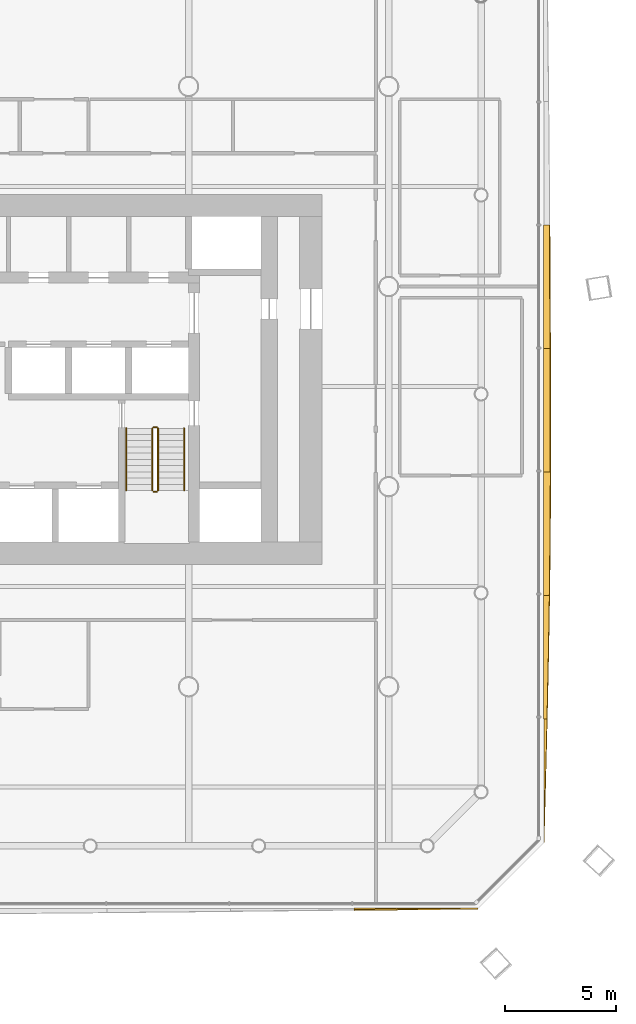
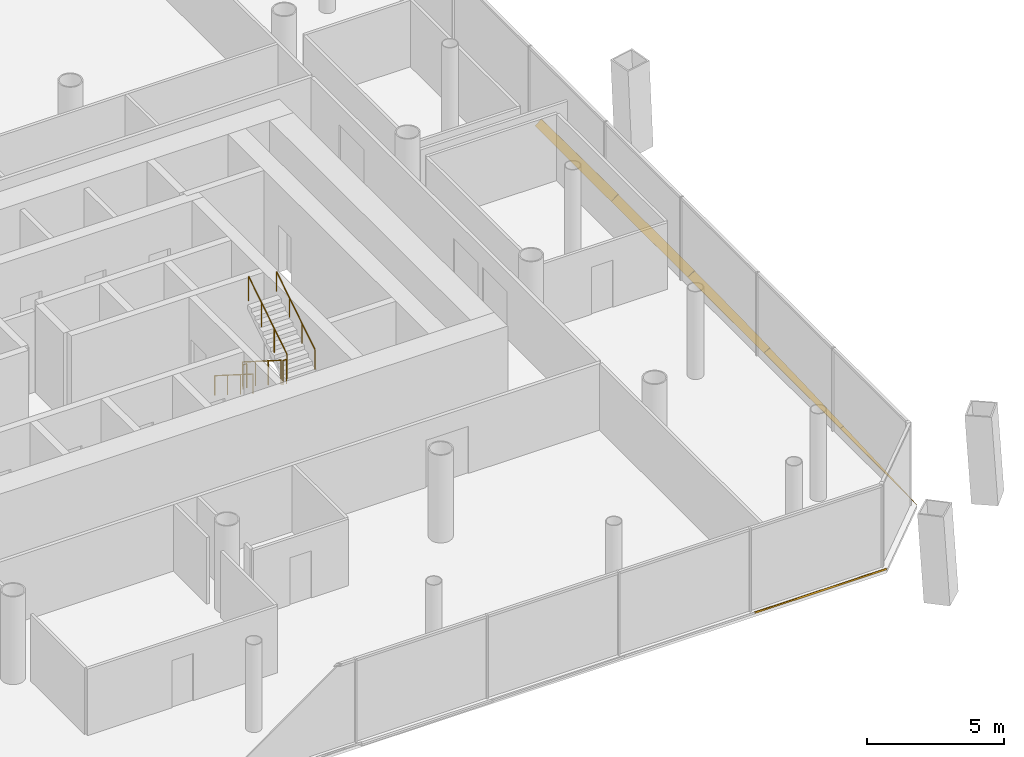
# One storey, part 20 of 22: 6 railings, 6 shading devices.
"""IFC4 building model written with IfcOpenShell, lengths in metres."""

import ifcopenshell
import ifcopenshell.guid

model = None  # the IFC model being written
_history = None  # IfcOwnerHistory: only IFC2X3 demands one
_inside = {}  # id of a spatial element -> (the spatial element, [elements in it])
_under = {}  # id of a project, library or spatial element -> (it, [spatial elements below it])
_declared = {}  # id of a project -> (the project, [libraries it declares])
_typed = {}  # id of a type object -> (the type object, [elements of that type])
_made_of = {}  # id of a material, layer set ... -> (it, [elements and type objects made of it])


def new_model(schema):
    """Start an empty IFC model of exactly this schema.

    Asked for "IFC4X3", IfcOpenShell would pick the latest addendum, in which some entities
    have other attributes; the version numbers below select the first issue.
    IFC2X3 requires an IfcOwnerHistory on every rooted entity: one is made here for all.
    """
    global model, _history
    if schema == "IFC4X3":
        model = ifcopenshell.file(schema_version=(4, 3, 0, 0))
    else:
        model = ifcopenshell.file(schema=schema)
    _inside.clear()
    _under.clear()
    _declared.clear()
    _typed.clear()
    _made_of.clear()
    _history = None
    if model.schema == "IFC2X3":
        org = make("IfcOrganization", Name="unknown")
        user = make(
            "IfcPersonAndOrganization",
            ThePerson=make("IfcPerson", FamilyName="unknown"),
            TheOrganization=org,
        )
        app = make(
            "IfcApplication",
            ApplicationDeveloper=org,
            Version="unknown",
            ApplicationFullName="unknown",
            ApplicationIdentifier="unknown",
        )
        _history = make(
            "IfcOwnerHistory",
            OwningUser=user,
            OwningApplication=app,
            ChangeAction="ADDED",
            CreationDate=0,
        )
    return model


def make(cls, **values):
    """One entity of the class cls with the attributes given. An attribute that is None is left unset."""
    return model.create_entity(
        cls, **{name: value for name, value in values.items() if value is not None}
    )


def rooted(cls, **values):
    """An entity with a GlobalId (a new one), such as an element, a storey or a relation."""
    return make(cls, GlobalId=ifcopenshell.guid.new(), OwnerHistory=_history, **values)


def si_unit(unit_type, name, prefix=None):
    """IfcSIUnit, for example si_unit("LENGTHUNIT", "METRE", prefix="MILLI")."""
    return make("IfcSIUnit", UnitType=unit_type, Prefix=prefix, Name=name)


def assignment(units):
    """IfcUnitAssignment: the units of a project."""
    return None if units is None else make("IfcUnitAssignment", Units=units)


def point(xyz):
    """IfcCartesianPoint."""
    return None if xyz is None else make("IfcCartesianPoint", Coordinates=xyz)


def direction(xyz):
    """IfcDirection."""
    return None if xyz is None else make("IfcDirection", DirectionRatios=xyz)


def frame(location, z_axis=None, x_axis=None):
    """IfcAxis2Placement3D, a coordinate frame: its origin and axes. An axis left out is left unset."""
    return make(
        "IfcAxis2Placement3D",
        Location=point(location),
        Axis=direction(z_axis),
        RefDirection=direction(x_axis),
    )


def frame_2d(location, x_axis=None):
    """IfcAxis2Placement2D, a coordinate frame in the plane: its origin and x axis."""
    return make(
        "IfcAxis2Placement2D", Location=point(location), RefDirection=direction(x_axis)
    )


def origin():
    """The frame at (0, 0, 0) with its axes left unset."""
    return frame((0.0, 0.0, 0.0))


def origin_2d():
    """The frame at (0, 0) in the plane with its x axis left unset."""
    return frame_2d((0.0, 0.0))


def place(relative_to, where):
    """IfcLocalPlacement: puts the frame where relative to a parent placement (None: the world)."""
    return make(
        "IfcLocalPlacement", PlacementRelTo=relative_to, RelativePlacement=where
    )


def context(
    kind, dimensions, precision=None, world=None, true_north=None, identifier=None
):
    """IfcGeometricRepresentationContext, for example the 3D "Model" context."""
    return make(
        "IfcGeometricRepresentationContext",
        ContextIdentifier=identifier,
        ContextType=kind,
        CoordinateSpaceDimension=dimensions,
        Precision=precision,
        WorldCoordinateSystem=world,
        TrueNorth=true_north,
    )


def subcontext(parent, identifier, kind, view, scale=None):
    """IfcGeometricRepresentationSubContext, for example "Body" below "Model"."""
    return make(
        "IfcGeometricRepresentationSubContext",
        ContextIdentifier=identifier,
        ContextType=kind,
        ParentContext=parent,
        TargetScale=scale,
        TargetView=view,
    )


def project(units=None, contexts=None):
    """IfcProject with its units and contexts."""
    return rooted(
        "IfcProject",
        Name="project",
        RepresentationContexts=contexts,
        UnitsInContext=assignment(units),
    )


def spatial(cls, under=None, at=None, **own):
    """A site, building, storey or space (cls), placed at a placement, below another one or the project."""
    s = rooted(cls, ObjectPlacement=at, **own)
    if under is not None:
        _under.setdefault(under.id(), (under, []))[1].append(s)
    return s


def polyline(points):
    """IfcPolyline through the points."""
    return make("IfcPolyline", Points=[point(p) for p in points])


def profile(cls, at=None, kind="AREA", **sizes):
    """A parametric profile (cls). Its sizes go by their IFC names, for example OverallWidth=200.0."""
    return make(cls, ProfileType=kind, Position=at, **sizes)


def circle(**sizes):
    """IfcCircleProfileDef."""
    return profile("IfcCircleProfileDef", **sizes)


def outline(outer, holes=None, kind="AREA"):
    """IfcArbitraryClosedProfileDef: a profile drawn as a closed curve; with holes, ...WithVoids."""
    if holes is None:
        return make("IfcArbitraryClosedProfileDef", ProfileType=kind, OuterCurve=outer)
    return make(
        "IfcArbitraryProfileDefWithVoids",
        ProfileType=kind,
        OuterCurve=outer,
        InnerCurves=holes,
    )


def extrude(swept, where, along, depth):
    """IfcExtrudedAreaSolid: the profile swept, set in the frame where, extruded along a direction by depth."""
    return make(
        "IfcExtrudedAreaSolid",
        SweptArea=swept,
        Position=where,
        ExtrudedDirection=direction(along),
        Depth=depth,
    )


def shape(context_of_items, identifier, shape_type, items):
    """IfcShapeRepresentation: the items that make up one representation, for example the "Body"."""
    return make(
        "IfcShapeRepresentation",
        ContextOfItems=context_of_items,
        RepresentationIdentifier=identifier,
        RepresentationType=shape_type,
        Items=items,
    )


def material(Name=None, Category=None):
    """IfcMaterial."""
    return make("IfcMaterial", Name=Name, Category=Category)


def layer(
    of_material, thickness, ventilated=None, Name=None, Category=None, Priority=None
):
    """IfcMaterialLayer: one layer of a wall or slab, of a material (None: an air gap)."""
    return make(
        "IfcMaterialLayer",
        Material=of_material,
        LayerThickness=thickness,
        IsVentilated=ventilated,
        Name=Name,
        Category=Category,
        Priority=Priority,
    )


def layer_set(layers, Name=None):
    """IfcMaterialLayerSet."""
    return make("IfcMaterialLayerSet", MaterialLayers=layers, LayerSetName=Name)


def made_of(thing, what):
    """Note that an element or type object is made of a material, layer set ...; save() writes the relation."""
    if what is not None:
        _made_of.setdefault(what.id(), (what, []))[1].append(thing)
    return thing


def type_object(cls, material=None, **own):
    """A type object (cls), such as IfcWallType, which elements share."""
    return made_of(rooted(cls, **own), material)


def element(
    cls,
    number,
    at=None,
    inside=None,
    cuts=None,
    type_object=None,
    material=None,
    context=None,
    identifier="Body",
    shape_type=None,
    held_by="IfcProductDefinitionShape",
    body=None,
    shapes=None,
    **own,
):
    """One element of the class cls, such as IfcWall. Its Tag is "e" and its number.

    at: its placement. inside: the storey or other place that contains it. cuts: it is an
    opening in that element (IfcRelVoidsElement). A single representation is given by context,
    identifier, shape_type and body (its items); several are given by shapes. held_by: the class
    of the entity that holds the representations. save() writes the other relations.
    """
    e = rooted(cls, Tag="e%d" % number, ObjectPlacement=at, **own)
    if body is not None:
        shapes = [shape(context, identifier, shape_type, body)]
    if shapes is not None:
        e.Representation = make(held_by, Representations=shapes)
    if inside is not None:
        _inside.setdefault(inside.id(), (inside, []))[1].append(e)
    if cuts is not None:
        rooted(
            "IfcRelVoidsElement", RelatingBuildingElement=cuts, RelatedOpeningElement=e
        )
    if type_object is not None:
        _typed.setdefault(type_object.id(), (type_object, []))[1].append(e)
    return made_of(e, material)


def aggregate(whole, parts):
    """IfcRelAggregates: a whole, such as a stair, and the parts it consists of."""
    return rooted("IfcRelAggregates", RelatingObject=whole, RelatedObjects=parts)


def save(model, path):
    """Write the relations noted so far, then the file.

    IfcRelAggregates (storeys below a building ...), IfcRelContainedInSpatialStructure (elements
    in a storey), IfcRelDefinesByType, IfcRelAssociatesMaterial and IfcRelDeclares: one each for
    every whole, place, type object, material and project.
    """
    for whole, parts in _under.values():
        aggregate(whole, parts)
    for where, things in _inside.values():
        rooted(
            "IfcRelContainedInSpatialStructure",
            RelatedElements=things,
            RelatingStructure=where,
        )
    for kind, things in _typed.values():
        rooted("IfcRelDefinesByType", RelatedObjects=things, RelatingType=kind)
    for what, things in _made_of.values():
        rooted("IfcRelAssociatesMaterial", RelatedObjects=things, RelatingMaterial=what)
    for by, libraries in _declared.values():
        rooted("IfcRelDeclares", RelatingContext=by, RelatedDefinitions=libraries)
    model.write(path)


model = new_model("IFC4")

# Units and contexts
model_context = context("Model", 3, precision=1e-05, world=origin(), true_north=direction((0.0, 1.0)))
body_context = subcontext(model_context, "Body", "Model", "MODEL_VIEW")
ifc_project = project(units=[si_unit("LENGTHUNIT", "METRE"), si_unit("AREAUNIT", "SQUARE_METRE"), si_unit("VOLUMEUNIT", "CUBIC_METRE"), si_unit("PLANEANGLEUNIT", "RADIAN"), si_unit("MASSUNIT", "GRAM", prefix="KILO")], contexts=[model_context])

# Site, building, storey
site_placement = place(None, origin())
site = spatial("IfcSite", under=ifc_project, at=site_placement, CompositionType="ELEMENT")
building_placement = place(site_placement, origin())
building = spatial("IfcBuilding", under=site, at=building_placement, Name="Tskaro Facet Tower", CompositionType="ELEMENT")
storey_placement = place(building_placement, frame((0.0, 0.0, 18.60009765625)))
storey = spatial("IfcBuildingStorey", under=building, at=storey_placement, Name="L03", CompositionType="ELEMENT", Elevation=18.60009765625)

# Shading devices
ifc_material_1 = material(Name="Bronze anodised aluminium 6063-T6", Category="aluminium")
ifc_layer = layer(ifc_material_1, 0.06005859375, Name="Bronze anodised aluminium 6063-T6")
ifc_layer_set = layer_set([ifc_layer], Name="Bronze anodised aluminium 6063-T6")
shading_device_type = type_object("IfcShadingDeviceType", Name="Bronze sun blade (FN1)", PredefinedType="USERDEFINED", material=ifc_layer_set)
shading_device_1_placement = place(storey_placement, frame((16.4443359375, -27.965576171875, 0.049072265625), z_axis=(-1.753267e-06, 0.573153332078, 0.819448142304), x_axis=(0.999999999998, 1.004891e-06, 1.436712e-06)))
element("IfcShadingDevice", 1, at=shading_device_1_placement, inside=storey, type_object=shading_device_type, Name="Fin blade south 9", ObjectType="FIN", PredefinedType="USERDEFINED", context=body_context, shape_type="SweptSolid", body=[
    extrude(outline(polyline([(0.0, 0.0), (5.555664062491461, -5.882288131017718e-22), (4.861328124718621, -0.010020450067426575), (4.166748046916875, -0.019980769565950348), (3.4724121093893685, -0.029801159051759535), (2.777832031342288, -0.039961539131900696), (2.083496093814782, -0.049781928617709886), (1.3889160156622768, -0.05960231810351907), (0.6945800781347709, -0.06942270758932825), (-1.7734651632579423e-11, -0.07924309707513745), (0.0, 0.0)])), origin(), (0.0, 0.0, -1.0), 0.06005859375),
])
shading_device_2_placement = place(storey_placement, frame((24.9794921875, -25.0, 0.056396484375), z_axis=(-0.341098006205, 1.3981738e-05, 0.940027738935), x_axis=(4.769143e-06, 0.999999999902, -1.3143222e-05)))
element("IfcShadingDevice", 2, at=shading_device_2_placement, inside=storey, type_object=shading_device_type, Name="Fin blade east 1", ObjectType="FIN", PredefinedType="USERDEFINED", context=body_context, shape_type="SweptSolid", body=[
    extrude(outline(polyline([(0.0, 0.0), (5.555664061956964, 0.0), (5.555664063116599, -0.15268315084879086), (4.861083981730989, -0.13484910149757412), (4.1667480462236, -0.11661900142577544), (3.4721679677625534, -0.09792990343452995), (2.7778320308065934, -0.07869853164340844), (2.0832519520613157, -0.0592376608925635), (1.3889160171498092, -0.039693514261289316), (0.6943359392846429, -0.019690369710568333), (0.0, 0.0)])), origin(), (0.0, 0.0, -1.0), 0.06005859375),
])
shading_device_3_placement = place(storey_placement, frame((24.974609375, -19.4443359375, 0.05419921875), z_axis=(-0.422772963986, -1.8133733e-05, 0.906235631938), x_axis=(-7.666452e-06, 0.999999999836, 1.6433435e-05)))
element("IfcShadingDevice", 3, at=shading_device_3_placement, inside=storey, type_object=shading_device_type, Name="Fin blade east 2", ObjectType="FIN", PredefinedType="USERDEFINED", context=body_context, shape_type="SweptSolid", body=[
    extrude(outline(polyline([(0.0, 0.0), (5.555419920961599, 0.0), (5.555419923192348, -0.2780790383272237), (4.86108398203583, -0.2663977970125517), (4.166503905600746, -0.2535070949741272), (3.4721679673815595, -0.23974621402350274), (2.777587890140422, -0.22521837021635588), (2.0832519529868754, -0.209599098563394), (1.3886718768113775, -0.19321286405390967), (0.6943359369800857, -0.17617769956584034), (-1.2481979542437195e-09, -0.15837557222124857), (0.0, 0.0)])), origin(), (0.0, 0.0, -1.0), 0.06005859375),
])
shading_device_4_placement = place(storey_placement, frame((24.969970703125, -13.888916015625, 0.0517578125), z_axis=(-0.500290110059, -8.881481e-06, 0.865857843817), x_axis=(-4.443317e-06, 0.999999999961, 7.6901e-06)))
element("IfcShadingDevice", 4, at=shading_device_4_placement, inside=storey, type_object=shading_device_type, Name="Fin blade east 3", ObjectType="FIN", PredefinedType="USERDEFINED", context=body_context, shape_type="SweptSolid", body=[
    extrude(outline(polyline([(0.0, 0.0), (5.555664062280883, 4.7058305048141744e-21), (5.555664062653768, -0.34542999429994775), (4.861083983847186, -0.3431281599978976), (4.166748046249841, -0.3397364791149003), (3.472167968903874, -0.3347100283604823), (2.7778320308896753, -0.3284715898849613), (2.0832519539195267, -0.32093191375333424), (1.3889160162811474, -0.3121802499006042), (0.6945800773495475, -0.3022165983267712), (-5.380032264933664e-10, -0.2909517090968322), (0.0, 0.0)])), origin(), (0.0, 0.0, -1.0), 0.06005859375),
])
shading_device_5_placement = place(storey_placement, frame((24.965576171875, -8.333251953125, 0.049072265625), z_axis=(-0.573503479608, 7.262123e-06, 0.819203124277), x_axis=(4.164853e-06, 0.999999999974, -5.949154e-06)))
element("IfcShadingDevice", 5, at=shading_device_5_placement, inside=storey, type_object=shading_device_type, Name="Fin blade east 4", ObjectType="FIN", PredefinedType="USERDEFINED", context=body_context, shape_type="SweptSolid", body=[
    extrude(outline(polyline([(0.0, 0.0), (5.555419921728507, -2.352811854830518e-21), (5.5554199217133435, -0.35673390031965246), (4.86108398466836, -0.35937400017229504), (4.1665039064171925, -0.3614740830014464), (3.47216796922664, -0.36323414956987476), (2.777587889377474, -0.3645942146127667), (2.083251953058162, -0.3656742486597491), (1.3889160151408506, -0.3660142649204721), (0.8332519536723129, -0.36621426568324034), (0.6943359380509759, -0.36621426568324034), (-5.930936705348695e-10, -0.3651342316362579), (0.0, 0.0)])), origin(), (0.0, 0.0, -1.0), 0.06005859375),
])
shading_device_6_placement = place(storey_placement, frame((24.96142578125, -2.77783203125, 0.0458984375), z_axis=(-0.642685087731, -2.571838e-06, 0.76613045756), x_axis=(-1.652882e-06, 0.999999999997, 1.970363e-06)))
element("IfcShadingDevice", 6, at=shading_device_6_placement, inside=storey, type_object=shading_device_type, Name="Fin blade east 5", ObjectType="FIN", PredefinedType="USERDEFINED", context=body_context, shape_type="SweptSolid", body=[
    extrude(outline(polyline([(0.0, 0.0), (5.555664062481626, 1.1764576262035436e-21), (5.555664062490605, -0.3441634725717998), (4.8610839843974585, -0.35022778900183504), (4.166748046851799, -0.3559481563241319), (3.472167968603631, -0.36132457453869055), (2.7778320313064873, -0.36617000007677003), (2.083496093931834, -0.37067147650711124), (1.3889160153736255, -0.3746720982907167), (0.6945800782474877, -0.37829863293684046), (-6.220545892162364e-11, -0.38142431293622847), (0.0, 0.0)])), origin(), (0.0, 0.0, -1.0), 0.06005859375),
])

# Railings
ifc_material_2 = material(Name="Stainless steel", Category="steel")
railing_type_1 = type_object("IfcRailingType", Name="RL-GUARD-1100", PredefinedType="GUARDRAIL", material=ifc_material_2)
railing_1_placement = place(storey_placement, frame((7.375, -6.375, 0.17724609375)))
element("IfcRailing", 7, at=railing_1_placement, inside=storey, type_object=railing_type_1, Name="L03 ST-2 stair guard 1", PredefinedType="GUARDRAIL", context=body_context, shape_type="SweptSolid", body=[
    extrude(circle(Radius=0.02392578125, at=origin_2d()), frame((0.0, 0.0, 1.076171875), z_axis=(0.0, -0.844908973607, 0.534910110503), x_axis=(1.0, 0.0, 0.0)), (0.0, 0.0, 1.0), 3.31396484375),
    extrude(circle(Radius=0.02099609375, at=origin_2d()), origin(), (0.0, 0.0, 1.0), 1.052001953125),
    extrude(circle(Radius=0.02099609375, at=origin_2d()), frame((0.0, -0.933349609375, 0.5908203125)), (0.0, 0.0, 1.0), 1.052001953125),
    extrude(circle(Radius=0.02099609375, at=origin_2d()), frame((0.0, -1.86669921875, 1.181884765625)), (0.0, 0.0, 1.0), 1.052001953125),
    extrude(circle(Radius=0.02099609375, at=origin_2d()), frame((0.0, -2.800048828125, 1.772705078125)), (0.0, 0.0, 1.0), 1.052001953125),
])
railing_2_placement = place(storey_placement, frame((7.425048828125, -9.22509765625, 1.949951171875)))
element("IfcRailing", 8, at=railing_2_placement, inside=storey, type_object=railing_type_1, Name="L03 ST-2 stair guard 2", PredefinedType="GUARDRAIL", context=body_context, shape_type="SweptSolid", body=[
    extrude(circle(Radius=0.02392578125, at=origin_2d()), frame((0.0, 0.0, 1.076171875), z_axis=(1.0, 0.0, 0.0), x_axis=(0.0, 1.0, 0.0)), (0.0, 0.0, 1.0), 0.14990234375),
    extrude(circle(Radius=0.02099609375, at=origin_2d()), origin(), (0.0, 0.0, 1.0), 1.052001953125),
    extrude(circle(Radius=0.02099609375, at=origin_2d()), frame((0.14990234375, 0.0, 0.0)), (0.0, 0.0, 1.0), 1.052001953125),
])
railing_3_placement = place(storey_placement, frame((7.625, -9.175048828125, 2.127197265625)))
element("IfcRailing", 9, at=railing_3_placement, inside=storey, type_object=railing_type_1, Name="L03 ST-2 stair guard 3", PredefinedType="GUARDRAIL", context=body_context, shape_type="SweptSolid", body=[
    extrude(circle(Radius=0.02392578125, at=origin_2d()), frame((0.0, 0.0, 1.076171875), z_axis=(0.0, 0.844908973607, 0.534910110503), x_axis=(-1.0, 0.0, 0.0)), (0.0, 0.0, 1.0), 3.31396484375),
    extrude(circle(Radius=0.02099609375, at=origin_2d()), origin(), (0.0, 0.0, 1.0), 1.052001953125),
    extrude(circle(Radius=0.02099609375, at=origin_2d()), frame((0.0, 0.933349609375, 0.5908203125)), (0.0, 0.0, 1.0), 1.052001953125),
    extrude(circle(Radius=0.02099609375, at=origin_2d()), frame((0.0, 1.86669921875, 1.181884765625)), (0.0, 0.0, 1.0), 1.052001953125),
    extrude(circle(Radius=0.02099609375, at=origin_2d()), frame((0.0, 2.800048828125, 1.772705078125)), (0.0, 0.0, 1.0), 1.052001953125),
])
railing_4_placement = place(storey_placement, frame((7.425048828125, -6.324951171875, 0.0)))
element("IfcRailing", 10, at=railing_4_placement, inside=storey, type_object=railing_type_1, Name="L03 ST-2 stair guard 4", PredefinedType="GUARDRAIL", context=body_context, shape_type="SweptSolid", body=[
    extrude(circle(Radius=0.02392578125, at=origin_2d()), frame((0.0, 0.0, 1.076171875), z_axis=(1.0, 0.0, 0.0), x_axis=(0.0, 1.0, 0.0)), (0.0, 0.0, 1.0), 0.14990234375),
    extrude(circle(Radius=0.02099609375, at=origin_2d()), origin(), (0.0, 0.0, 1.0), 1.052001953125),
    extrude(circle(Radius=0.02099609375, at=origin_2d()), frame((0.14990234375, 0.0, 0.0)), (0.0, 0.0, 1.0), 1.052001953125),
])
railing_type_2 = type_object("IfcRailingType", Name="RL-HANDRAIL-900", PredefinedType="HANDRAIL", material=ifc_material_2)
railing_5_placement = place(storey_placement, frame((6.199951171875, -6.375, 0.17724609375)))
element("IfcRailing", 11, at=railing_5_placement, inside=storey, type_object=railing_type_2, Name="L03 ST-2 stair handrail 1", PredefinedType="HANDRAIL", context=body_context, shape_type="SweptSolid", body=[
    extrude(circle(Radius=0.02392578125, at=origin_2d()), frame((0.0, 0.0, 0.8759765625), z_axis=(0.0, -0.844908973607, 0.534910110503), x_axis=(1.0, 0.0, 0.0)), (0.0, 0.0, 1.0), 3.31396484375),
    extrude(circle(Radius=0.02099609375, at=origin_2d()), origin(), (0.0, 0.0, 1.0), 0.851806640625),
    extrude(circle(Radius=0.02099609375, at=origin_2d()), frame((0.0, -0.933349609375, 0.5908203125)), (0.0, 0.0, 1.0), 0.851806640625),
    extrude(circle(Radius=0.02099609375, at=origin_2d()), frame((0.0, -1.86669921875, 1.181884765625)), (0.0, 0.0, 1.0), 0.851806640625),
    extrude(circle(Radius=0.02099609375, at=origin_2d()), frame((0.0, -2.800048828125, 1.772705078125)), (0.0, 0.0, 1.0), 0.851806640625),
])
railing_6_placement = place(storey_placement, frame((8.800048828125, -9.175048828125, 2.127197265625)))
element("IfcRailing", 12, at=railing_6_placement, inside=storey, type_object=railing_type_2, Name="L03 ST-2 stair handrail 2", PredefinedType="HANDRAIL", context=body_context, shape_type="SweptSolid", body=[
    extrude(circle(Radius=0.02392578125, at=origin_2d()), frame((0.0, 0.0, 0.8759765625), z_axis=(0.0, 0.844908973607, 0.534910110503), x_axis=(-1.0, 0.0, 0.0)), (0.0, 0.0, 1.0), 3.31396484375),
    extrude(circle(Radius=0.02099609375, at=origin_2d()), origin(), (0.0, 0.0, 1.0), 0.851806640625),
    extrude(circle(Radius=0.02099609375, at=origin_2d()), frame((0.0, 0.933349609375, 0.5908203125)), (0.0, 0.0, 1.0), 0.851806640625),
    extrude(circle(Radius=0.02099609375, at=origin_2d()), frame((0.0, 1.86669921875, 1.181884765625)), (0.0, 0.0, 1.0), 0.851806640625),
    extrude(circle(Radius=0.02099609375, at=origin_2d()), frame((0.0, 2.800048828125, 1.772705078125)), (0.0, 0.0, 1.0), 0.851806640625),
])

save(model, "model.ifc")
